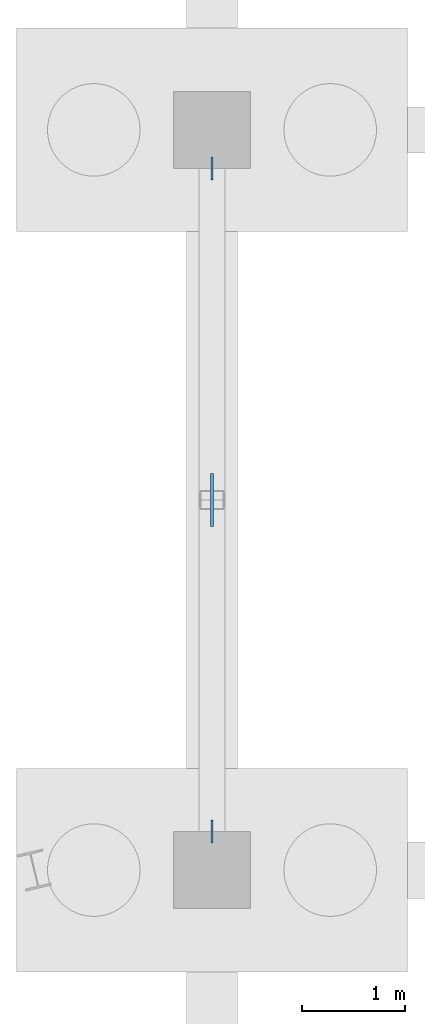
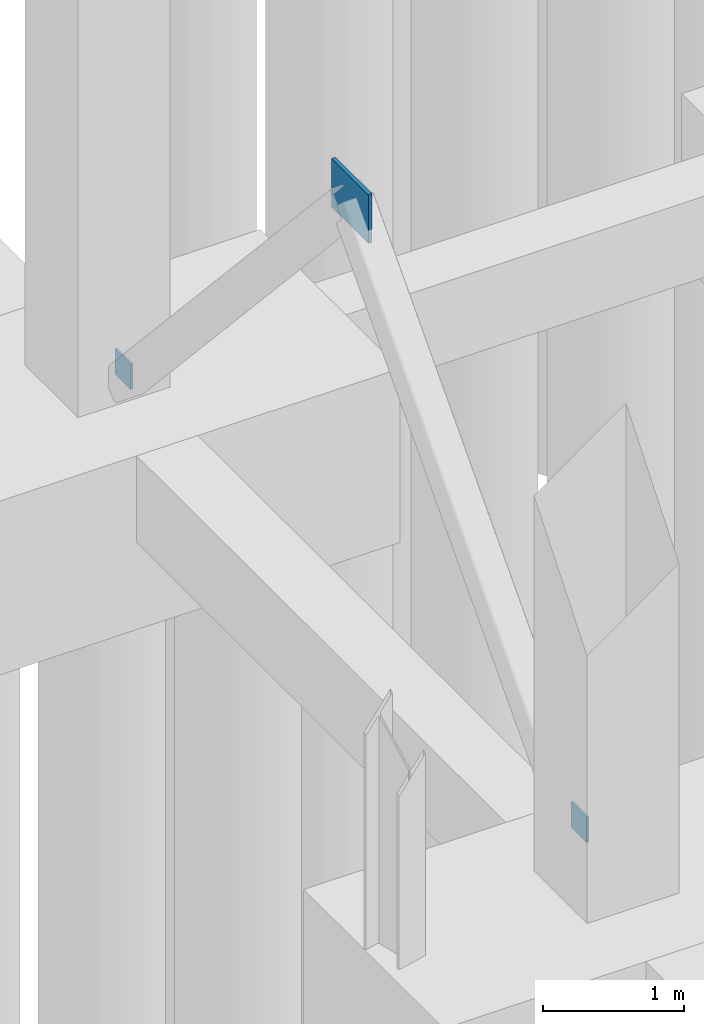
# One storey, part 25 of 36: 3 plates.
"""IFC4 building model written with IfcOpenShell, lengths in metres."""

from ifc_helpers import new_model, si_unit, direction, frame, origin, origin_2d, place, context, subcontext, project, spatial, rectangle, extrude, material, layer, layer_set, type_object, element, save


model = new_model("IFC4")

# Units and contexts
model_context = context("Model", 3, precision=1e-05, world=origin(), true_north=direction((0.0, 1.0)))
body_context = subcontext(model_context, "Body", "Model", "MODEL_VIEW")
ifc_project = project(units=[si_unit("LENGTHUNIT", "METRE"), si_unit("AREAUNIT", "SQUARE_METRE"), si_unit("VOLUMEUNIT", "CUBIC_METRE"), si_unit("PLANEANGLEUNIT", "RADIAN"), si_unit("MASSUNIT", "GRAM", prefix="KILO")], contexts=[model_context])

# Site, building, storey
site_placement = place(None, origin())
site = spatial("IfcSite", under=ifc_project, at=site_placement, CompositionType="ELEMENT")
building_placement = place(site_placement, origin())
building = spatial("IfcBuilding", under=site, at=building_placement, Name="Kalmorath City Hall", CompositionType="ELEMENT")
storey_placement = place(building_placement, frame((0.0, 0.0, -4.5)))
storey = spatial("IfcBuildingStorey", under=building, at=storey_placement, Name="B1", CompositionType="ELEMENT", Elevation=-4.5)

# Plates
ifc_material_1 = material(Name="Steel ASTM A572 Grade 50", Category="steel")
ifc_layer_1 = layer(ifc_material_1, 0.02001953125)
ifc_layer_set_1 = layer_set([ifc_layer_1], Name="Steel ASTM A572 Grade 50")
plate_type_1 = type_object("IfcPlateType", Name="Steel HSS end-cap plate 220x220x20", PredefinedType="SHEET", material=ifc_layer_set_1)
for number, where, z_axis, x_axis, name in (
    (1, (136.800048828125, 50.77490234375, 0.18017578125), (0.0, 0.0, 1.0), (0.0, 1.0, 0.0), "B1 brace foot end-plate GP5-28L"),
    (2, (136.800048828125, 57.22509765625, 0.18017578125), (0.0, 0.0, 1.0), (0.0, 1.0, 0.0), "B1 brace foot end-plate GP5-28R"),
):
    element("IfcPlate", number, at=place(storey_placement, frame(where, z_axis=z_axis, x_axis=x_axis)), inside=storey, type_object=plate_type_1, Name=name, PredefinedType="SHEET", context=body_context, shape_type="SweptSolid", body=[
        extrude(rectangle(XDim=0.219970703125, YDim=0.02001953125, at=origin_2d()), origin(), (0.0, 0.0, 1.0), 0.219970703125),
    ])
ifc_material_2 = material(Name="Steel ASTM A572 Grade 50", Category="steel")
ifc_layer_2 = layer(ifc_material_2, 0.031982421875)
ifc_layer_set_2 = layer_set([ifc_layer_2], Name="Steel ASTM A572 Grade 50")
plate_type_2 = type_object("IfcPlateType", Name="Steel brace gusset plate 520x420x32", PredefinedType="USERDEFINED", material=ifc_layer_set_2)
plate_placement = place(storey_placement, frame((136.800048828125, 54.0, 3.489990234375), z_axis=(0.0, 0.0, 1.0), x_axis=(0.0, 1.0, 0.0)))
element("IfcPlate", 3, at=plate_placement, inside=storey, type_object=plate_type_2, Name="B1 brace gusset plate GP2-28", ObjectType="GUSSET PLATE", PredefinedType="USERDEFINED", context=body_context, shape_type="SweptSolid", body=[
    extrude(rectangle(XDim=0.52001953125, YDim=0.031982421875, at=origin_2d()), origin(), (0.0, 0.0, 1.0), 0.419921875),
])

save(model, "model.ifc")
